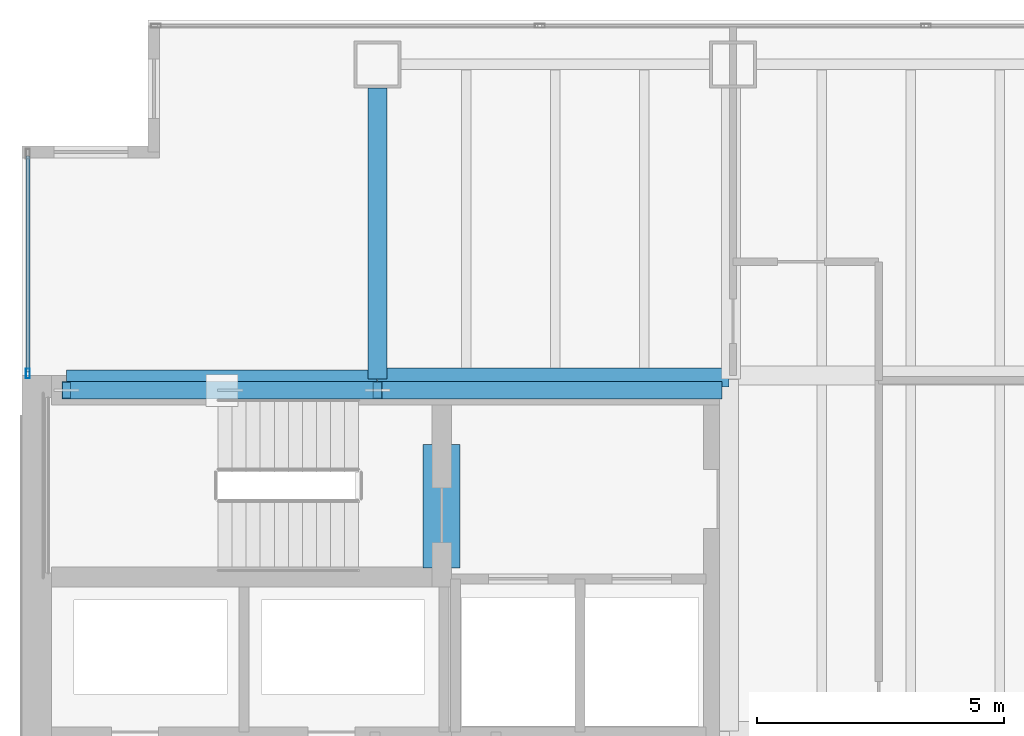
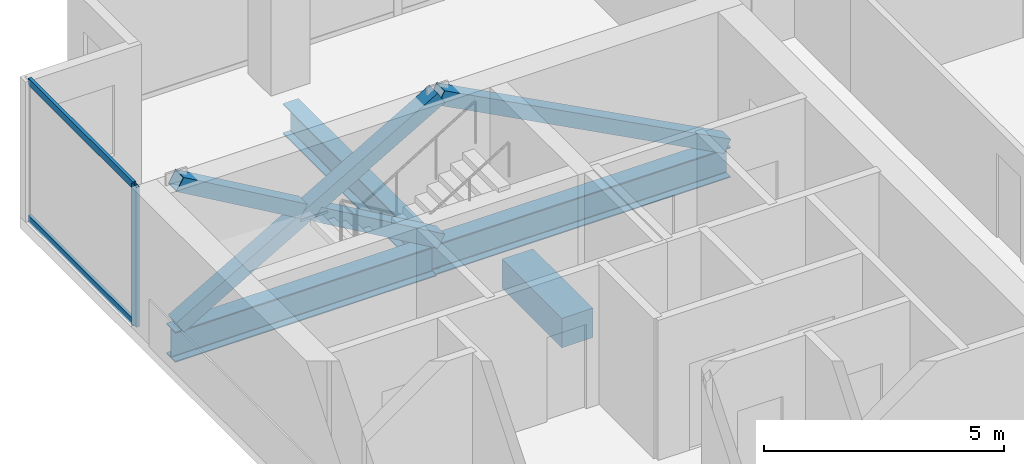
# One storey, part 14 of 23: 7 members, 4 beams, 1 element without a shape of its own.
"""IFC4 building model written with IfcOpenShell, lengths in metres."""

from ifc_helpers import new_model, si_unit, direction, frame, origin, origin_2d, place, context, subcontext, project, spatial, rectangle, hollow_rectangle, i_section, extrude, material, material_profile, profile_set, type_object, element, aggregate, save


model = new_model("IFC4")

# Units and contexts
model_context = context("Model", 3, precision=1e-05, world=origin(), true_north=direction((0.0, 1.0)))
body_context = subcontext(model_context, "Body", "Model", "MODEL_VIEW")
ifc_project = project(units=[si_unit("LENGTHUNIT", "METRE"), si_unit("AREAUNIT", "SQUARE_METRE"), si_unit("VOLUMEUNIT", "CUBIC_METRE"), si_unit("PLANEANGLEUNIT", "RADIAN"), si_unit("MASSUNIT", "GRAM", prefix="KILO")], contexts=[model_context])

# Site, building, storey
site_placement = place(None, origin())
site = spatial("IfcSite", under=ifc_project, at=site_placement, CompositionType="ELEMENT")
building_placement = place(site_placement, origin())
building = spatial("IfcBuilding", under=site, at=building_placement, Name="Cobrela Telecom Tower", CompositionType="ELEMENT")
storey_placement = place(building_placement, frame((0.0, 0.0, 81.199951171875)))
storey = spatial("IfcBuildingStorey", under=building, at=storey_placement, Name="L20", CompositionType="ELEMENT", Elevation=81.199951171875)

# Beams
ifc_material_1 = material(Name="Concrete C40/50", Category="concrete")
ifc_material_profile_1 = material_profile(ifc_material_1, rectangle(XDim=0.75, YDim=0.75, at=origin_2d()), Name="RC 750x750")
ifc_profile_set_1 = profile_set([ifc_material_profile_1], Name="Concrete C40/50")
beam_type_1 = type_object("IfcBeamType", Name="BM-COUP-RC", PredefinedType="LINTEL", material=ifc_profile_set_1)
beam_1_placement = place(storey_placement, frame((8.5, 32.10009765625, -0.6298828125), z_axis=(0.0, 1.0, 0.0), x_axis=(-1.0, 0.0, 0.0)))
element("IfcBeam", 1, at=beam_1_placement, inside=storey, type_object=beam_type_1, Name="L20 Core Coupling Lintel Beam", PredefinedType="LINTEL", context=body_context, shape_type="SweptSolid", body=[
    extrude(rectangle(XDim=0.75, YDim=0.75, at=origin_2d()), origin(), (0.0, 0.0, 1.0), 2.5),
])
ifc_material_2 = material(Name="Steel ASTM A992 Grade 50", Category="steel")
ifc_material_profile_2 = material_profile(ifc_material_2, i_section(OverallWidth=0.381103515625, OverallDepth=0.77197265625, WebThickness=0.0166015625, FlangeThickness=0.027099609375, FilletRadius=0.01904296875, at=origin_2d()), Name="W30X173")
ifc_profile_set_2 = profile_set([ifc_material_profile_2], Name="Steel ASTM A992 Grade 50")
beam_type_2 = type_object("IfcBeamType", Name="BM-GIRD-04", PredefinedType="USERDEFINED", material=ifc_profile_set_2)
beam_2_placement = place(storey_placement, frame((0.905029296875, 35.919921875, -0.666015625), z_axis=(1.0, 0.0, 0.0), x_axis=(0.0, 1.0, 0.0)))
element("IfcBeam", 2, at=beam_2_placement, inside=storey, type_object=beam_type_2, Name="L20 Primary Girder X25", ObjectType="GIRDER", PredefinedType="USERDEFINED", context=body_context, shape_type="SweptSolid", body=[
    extrude(i_section(OverallWidth=0.381103515625, OverallDepth=0.77197265625, WebThickness=0.0166015625, FlangeThickness=0.027099609375, FilletRadius=0.01904296875, at=origin_2d()), origin(), (0.0, 0.0, 1.0), 6.2900390625),
])
beam_3_placement = place(storey_placement, frame((7.205078125, 35.9599609375, -0.666015625), z_axis=(1.0, 0.0, 0.0), x_axis=(0.0, 1.0, 0.0)))
element("IfcBeam", 3, at=beam_3_placement, inside=storey, type_object=beam_type_2, Name="L20 Primary Girder X26", ObjectType="GIRDER", PredefinedType="USERDEFINED", context=body_context, shape_type="SweptSolid", body=[
    extrude(i_section(OverallWidth=0.381103515625, OverallDepth=0.77197265625, WebThickness=0.0166015625, FlangeThickness=0.027099609375, FilletRadius=0.01904296875, at=origin_2d()), origin(), (0.0, 0.0, 1.0), 7.10986328125),
])
beam_4_placement = place(storey_placement, frame((7.199951171875, 35.925048828125, -0.666015625), z_axis=(0.0, 1.0, 0.0), x_axis=(-1.0, 0.0, 0.0)))
element("IfcBeam", 4, at=beam_4_placement, inside=storey, type_object=beam_type_2, Name="L20 Primary Girder Y33", ObjectType="GIRDER", PredefinedType="USERDEFINED", context=body_context, shape_type="SweptSolid", body=[
    extrude(i_section(OverallWidth=0.381103515625, OverallDepth=0.77197265625, WebThickness=0.0166015625, FlangeThickness=0.027099609375, FilletRadius=0.01904296875, at=origin_2d()), origin(), (0.0, 0.0, 1.0), 5.89501953125),
])

# Curtain wall, members
ifc_material_3 = material(Name="Anodized Bronze Aluminium 6063-T6", Category="aluminium")
curtain_wall_type = type_object("IfcCurtainWallType", Name="CW-SYS-DATA", PredefinedType="USERDEFINED", material=ifc_material_3)
curtain_wall_placement = place(storey_placement, origin())
curtain_wall = element("IfcCurtainWall", 5, at=curtain_wall_placement, inside=storey, type_object=curtain_wall_type, Name="L20 Unitised Bronze Curtain Wall 04", ObjectType="UNITISED CURTAIN WALL", PredefinedType="USERDEFINED")
ifc_material_profile_3 = material_profile(ifc_material_3, hollow_rectangle(XDim=0.080078125, YDim=0.199951171875, WallThickness=0.00390625, at=origin_2d()), Name="ALU 80x200x4")
ifc_profile_set_3 = profile_set([ifc_material_profile_3], Name="Anodized Bronze Aluminium 6063-T6")
member_type_1 = type_object("IfcMemberType", Name="CW-SYS-DATA-MUL", PredefinedType="MULLION", material=ifc_profile_set_3)
member_1_placement = place(storey_placement, frame((0.1201171875, 36.0400390625, 0.0), z_axis=(0.0, 0.0, 1.0), x_axis=(-1.0, 0.0, 0.0)))
member_1 = element("IfcMember", 6, at=member_1_placement, type_object=member_type_1, Name="CW-DATA mullion 1", PredefinedType="MULLION", context=body_context, shape_type="SweptSolid", body=[
    extrude(hollow_rectangle(XDim=0.080078125, YDim=0.199951171875, WallThickness=0.00390625, at=origin_2d()), origin(), (0.0, 0.0, 1.0), 3.570068359375),
])
ifc_material_profile_4 = material_profile(ifc_material_3, hollow_rectangle(XDim=0.074951171875, YDim=0.179931640625, WallThickness=0.00390625, at=origin_2d()), Name="ALU 75x180x4")
ifc_profile_set_4 = profile_set([ifc_material_profile_4], Name="Anodized Bronze Aluminium 6063-T6")
member_type_2 = type_object("IfcMemberType", Name="CW-SYS-DATA-TRN", PredefinedType="USERDEFINED", material=ifc_profile_set_4)
member_2_placement = place(storey_placement, frame((0.1201171875, 36.080078125, 0.03759765625), z_axis=(0.0, 1.0, 0.0), x_axis=(-1.0, 0.0, 0.0)))
member_2 = element("IfcMember", 7, at=member_2_placement, type_object=member_type_2, Name="CW-DATA transom 1.1", ObjectType="TRANSOM", PredefinedType="USERDEFINED", context=body_context, shape_type="SweptSolid", body=[
    extrude(hollow_rectangle(XDim=0.074951171875, YDim=0.179931640625, WallThickness=0.00390625, at=origin_2d()), origin(), (0.0, 0.0, 1.0), 4.369873046875),
])
member_3_placement = place(storey_placement, frame((0.1201171875, 36.080078125, 3.532470703125), z_axis=(0.0, 1.0, 0.0), x_axis=(-1.0, 0.0, 0.0)))
member_3 = element("IfcMember", 8, at=member_3_placement, type_object=member_type_2, Name="CW-DATA transom 1.2", ObjectType="TRANSOM", PredefinedType="USERDEFINED", context=body_context, shape_type="SweptSolid", body=[
    extrude(hollow_rectangle(XDim=0.074951171875, YDim=0.179931640625, WallThickness=0.00390625, at=origin_2d()), origin(), (0.0, 0.0, 1.0), 4.369873046875),
])
aggregate(curtain_wall, [member_1, member_2, member_3])

# Members
ifc_material_4 = material(Name="Steel ASTM A572 Grade 50", Category="steel")
ifc_material_profile_5 = material_profile(ifc_material_4, hollow_rectangle(XDim=0.35009765625, YDim=0.35009765625, WallThickness=0.01611328125, at=origin_2d()), Name="HSS 350x350x16")
ifc_profile_set_5 = profile_set([ifc_material_profile_5], Name="Steel ASTM A572 Grade 50")
member_type_3 = type_object("IfcMemberType", Name="MBR-EXO-02", PredefinedType="BRACE", material=ifc_profile_set_5)
member_4_placement = place(storey_placement, frame((0.89990234375, 35.699951171875, -0.0400390625), z_axis=(0.865262480916, 0.0, 0.501319099096), x_axis=(0.0, 1.0, 0.0)))
element("IfcMember", 9, at=member_4_placement, inside=storey, type_object=member_type_3, Name="L20 Core Flange Steel X-Brace Continuous A", PredefinedType="BRACE", context=body_context, shape_type="SweptSolid", body=[
    extrude(hollow_rectangle(XDim=0.35009765625, YDim=0.35009765625, WallThickness=0.01611328125, at=origin_2d()), origin(), (0.0, 0.0, 1.0), 7.281005859375),
])
for number, where, z_axis, x_axis, name in (
    (10, (7.199951171875, 35.699951171875, -0.0400390625), (-0.865266106373, 0.0, 0.50131284161), (0.0, -1.0, 0.0), "L20 Core Flange Steel X-Brace Split B1"),
    (11, (3.88037109375, 35.699951171875, 1.88330078125), (-0.865266106373, 0.0, 0.50131284161), (0.0, -1.0, 0.0), "L20 Core Flange Steel X-Brace Split B2"),
):
    element("IfcMember", number, at=place(storey_placement, frame(where, z_axis=z_axis, x_axis=x_axis)), inside=storey, type_object=member_type_3, Name=name, PredefinedType="BRACE", context=body_context, shape_type="SweptSolid", body=[
        extrude(hollow_rectangle(XDim=0.35009765625, YDim=0.35009765625, WallThickness=0.01611328125, at=origin_2d()), origin(), (0.0, 0.0, 1.0), 3.444580078125),
    ])
member_5_placement = place(storey_placement, frame((14.10009765625, 35.699951171875, -0.0400390625), z_axis=(-0.883940020796, 0.0, 0.46760029901), x_axis=(0.0, -1.0, 0.0)))
element("IfcMember", 12, at=member_5_placement, inside=storey, type_object=member_type_3, Name="L20 Core Flange Steel Brace N2", PredefinedType="BRACE", context=body_context, shape_type="SweptSolid", body=[
    extrude(hollow_rectangle(XDim=0.35009765625, YDim=0.35009765625, WallThickness=0.01611328125, at=origin_2d()), origin(), (0.0, 0.0, 1.0), 7.80615234375),
])

save(model, "model.ifc")
